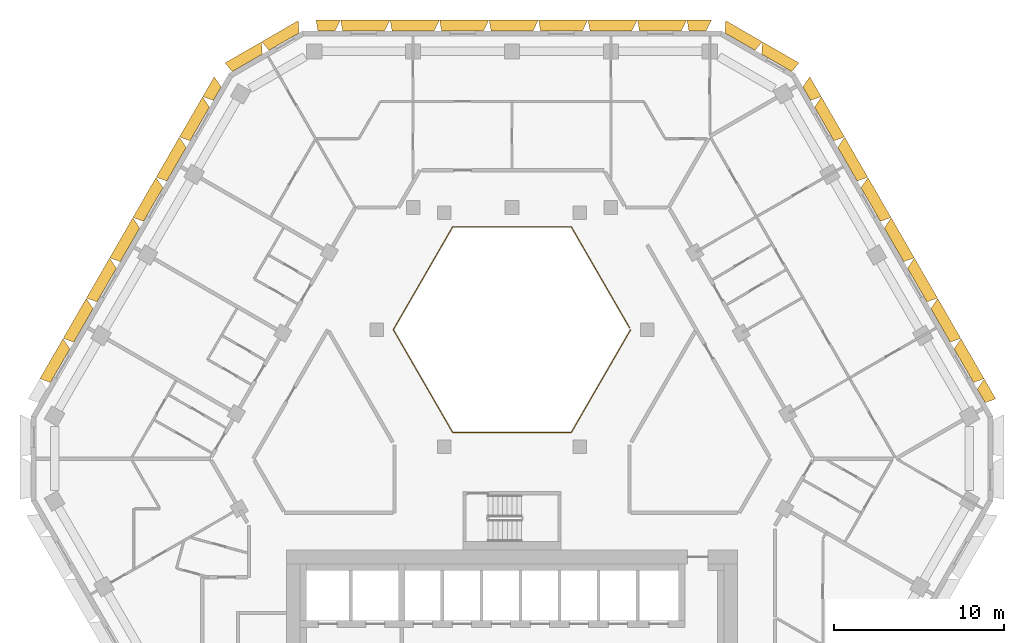
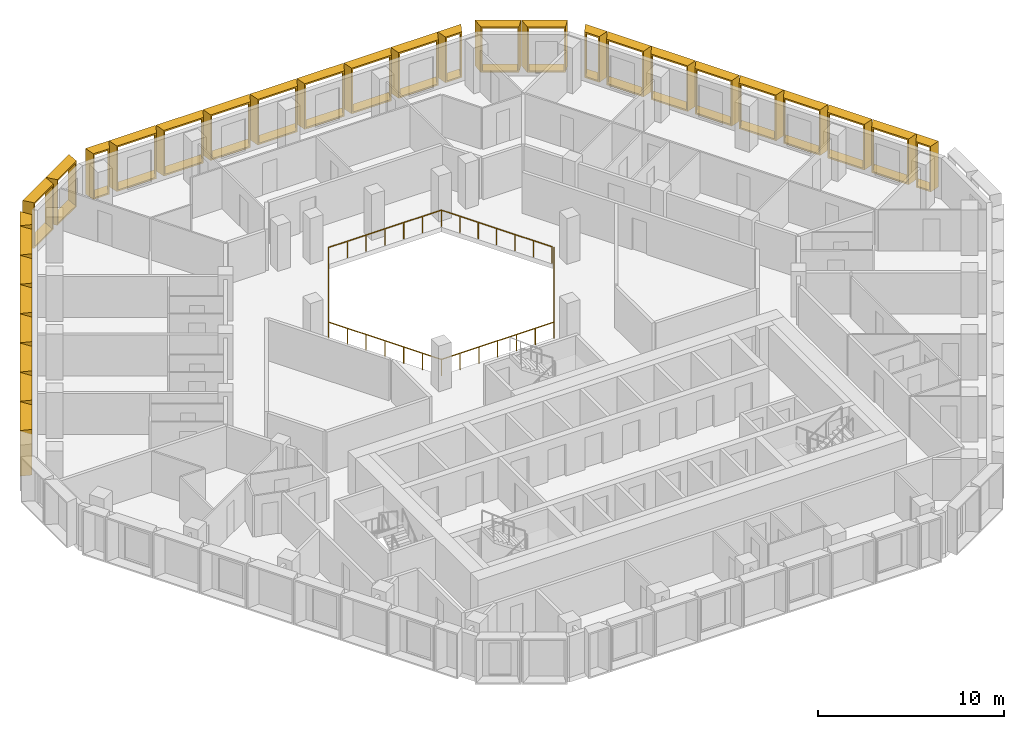
# One storey, part 15 of 15: 30 shading devices, 1 railing.
"""IFC4 building model written with IfcOpenShell, lengths in metres."""

from ifc_helpers import new_model, entity, si_unit, direction, frame, origin, origin_2d, place, context, subcontext, project, spatial, rectangle, extrude, source, transform, mapped, material, type_object, type_shapes, element, save


model = new_model("IFC4")

# Units and contexts
model_context = context("Model", 3, precision=1e-05, world=origin(), true_north=direction((0.0, 1.0)))
body_context = subcontext(model_context, "Body", "Model", "MODEL_VIEW")
ifc_project = project(units=[si_unit("LENGTHUNIT", "METRE"), si_unit("AREAUNIT", "SQUARE_METRE"), si_unit("VOLUMEUNIT", "CUBIC_METRE"), si_unit("PLANEANGLEUNIT", "RADIAN"), si_unit("MASSUNIT", "GRAM", prefix="KILO")], contexts=[model_context])

# Site, building, storey
site_placement = place(None, origin())
site = spatial("IfcSite", under=ifc_project, at=site_placement, CompositionType="ELEMENT")
building_placement = place(site_placement, origin())
building = spatial("IfcBuilding", under=site, at=building_placement, Name="Beryl Residences", CompositionType="ELEMENT")
storey_placement = place(building_placement, frame((0.0, 0.0, 135.60009765625)))
storey = spatial("IfcBuildingStorey", under=building, at=storey_placement, Name="L41", CompositionType="ELEMENT", Elevation=135.60009765625)

# Railing
ifc_material_1 = material(Name="Stainless steel balustrade with glass infill", Category="steel")
railing_type = type_object("IfcRailingType", Name="EG1 edge guard 1100 mm", PredefinedType="GUARDRAIL", material=ifc_material_1)
railing_placement = place(storey_placement, frame((6.9970703125, 8.0, 0.0)))
element("IfcRailing", 1, at=railing_placement, inside=storey, type_object=railing_type, Name="L41 atrium guard", PredefinedType="GUARDRAIL", context=body_context, shape_type="SweptSolid", body=[
    extrude(rectangle(XDim=0.048095703125, YDim=0.048095703125, at=origin_2d()), frame((0.0, 0.0, 1.076171875), z_axis=(-0.499921796684, -0.866070549782, 0.0), x_axis=(0.866070549782, -0.499921796684, 0.0)), (0.0, 0.0, 1.0), 6.9970703125),
    extrude(rectangle(XDim=0.048095703125, YDim=0.048095703125, at=origin_2d()), frame((-3.498046875, -6.06005859375, 1.076171875), z_axis=(-1.0, 0.0, 0.0), x_axis=(0.0, -1.0, 0.0)), (0.0, 0.0, 1.0), 6.998046875),
    extrude(rectangle(XDim=0.048095703125, YDim=0.048095703125, at=origin_2d()), frame((-10.49609375, -6.06005859375, 1.076171875), z_axis=(-0.499921796684, 0.866070549782, 0.0), x_axis=(-0.866070549782, -0.499921796684, 0.0)), (0.0, 0.0, 1.0), 6.9970703125),
    extrude(rectangle(XDim=0.048095703125, YDim=0.048095703125, at=origin_2d()), frame((-13.994140625, 0.0, 1.076171875), z_axis=(0.499921796684, 0.866070549782, 0.0), x_axis=(-0.866070549782, 0.499921796684, 0.0)), (0.0, 0.0, 1.0), 6.9970703125),
    extrude(rectangle(XDim=0.048095703125, YDim=0.048095703125, at=origin_2d()), frame((-10.49609375, 6.06005859375, 1.076171875), z_axis=(1.0, 0.0, 0.0), x_axis=(0.0, 1.0, 0.0)), (0.0, 0.0, 1.0), 6.998046875),
    extrude(rectangle(XDim=0.048095703125, YDim=0.048095703125, at=origin_2d()), frame((-3.498046875, 6.06005859375, 1.076171875), z_axis=(0.499919131929, -0.866072087953, 0.0), x_axis=(0.866072087953, 0.499919131929, 0.0)), (0.0, 0.0, 1.0), 6.877197265625),
    extrude(rectangle(XDim=0.0419921875, YDim=0.0419921875, at=origin_2d()), origin(), (0.0, 0.0, 1.0), 1.052001953125),
    extrude(rectangle(XDim=0.0419921875, YDim=0.0419921875, at=origin_2d()), frame((-0.5830078125, -1.010009765625, 0.0)), (0.0, 0.0, 1.0), 1.052001953125),
    extrude(rectangle(XDim=0.0419921875, YDim=0.0419921875, at=origin_2d()), frame((-1.166015625, -2.02001953125, 0.0)), (0.0, 0.0, 1.0), 1.052001953125),
    extrude(rectangle(XDim=0.0419921875, YDim=0.0419921875, at=origin_2d()), frame((-1.7490234375, -3.030029296875, 0.0)), (0.0, 0.0, 1.0), 1.052001953125),
    extrude(rectangle(XDim=0.0419921875, YDim=0.0419921875, at=origin_2d()), frame((-2.33203125, -4.0400390625, 0.0)), (0.0, 0.0, 1.0), 1.052001953125),
    extrude(rectangle(XDim=0.0419921875, YDim=0.0419921875, at=origin_2d()), frame((-2.9150390625, -5.050048828125, 0.0)), (0.0, 0.0, 1.0), 1.052001953125),
    extrude(rectangle(XDim=0.0419921875, YDim=0.0419921875, at=origin_2d()), frame((-3.498046875, -6.06005859375, 0.0)), (0.0, 0.0, 1.0), 1.052001953125),
    extrude(rectangle(XDim=0.0419921875, YDim=0.0419921875, at=origin_2d()), frame((-4.664306640625, -6.06005859375, 0.0)), (0.0, 0.0, 1.0), 1.052001953125),
    extrude(rectangle(XDim=0.0419921875, YDim=0.0419921875, at=origin_2d()), frame((-5.830810546875, -6.06005859375, 0.0)), (0.0, 0.0, 1.0), 1.052001953125),
    extrude(rectangle(XDim=0.0419921875, YDim=0.0419921875, at=origin_2d()), frame((-6.9970703125, -6.06005859375, 0.0)), (0.0, 0.0, 1.0), 1.052001953125),
    extrude(rectangle(XDim=0.0419921875, YDim=0.0419921875, at=origin_2d()), frame((-8.163330078125, -6.06005859375, 0.0)), (0.0, 0.0, 1.0), 1.052001953125),
    extrude(rectangle(XDim=0.0419921875, YDim=0.0419921875, at=origin_2d()), frame((-9.329833984375, -6.06005859375, 0.0)), (0.0, 0.0, 1.0), 1.052001953125),
    extrude(rectangle(XDim=0.0419921875, YDim=0.0419921875, at=origin_2d()), frame((-10.49609375, -6.06005859375, 0.0)), (0.0, 0.0, 1.0), 1.052001953125),
    extrude(rectangle(XDim=0.0419921875, YDim=0.0419921875, at=origin_2d()), frame((-11.0791015625, -5.050048828125, 0.0)), (0.0, 0.0, 1.0), 1.052001953125),
    extrude(rectangle(XDim=0.0419921875, YDim=0.0419921875, at=origin_2d()), frame((-11.662109375, -4.0400390625, 0.0)), (0.0, 0.0, 1.0), 1.052001953125),
    extrude(rectangle(XDim=0.0419921875, YDim=0.0419921875, at=origin_2d()), frame((-12.2451171875, -3.030029296875, 0.0)), (0.0, 0.0, 1.0), 1.052001953125),
    extrude(rectangle(XDim=0.0419921875, YDim=0.0419921875, at=origin_2d()), frame((-12.828125, -2.02001953125, 0.0)), (0.0, 0.0, 1.0), 1.052001953125),
    extrude(rectangle(XDim=0.0419921875, YDim=0.0419921875, at=origin_2d()), frame((-13.4111328125, -1.010009765625, 0.0)), (0.0, 0.0, 1.0), 1.052001953125),
    extrude(rectangle(XDim=0.0419921875, YDim=0.0419921875, at=origin_2d()), frame((-13.994140625, 0.0, 0.0)), (0.0, 0.0, 1.0), 1.052001953125),
    extrude(rectangle(XDim=0.0419921875, YDim=0.0419921875, at=origin_2d()), frame((-13.4111328125, 1.010009765625, 0.0)), (0.0, 0.0, 1.0), 1.052001953125),
    extrude(rectangle(XDim=0.0419921875, YDim=0.0419921875, at=origin_2d()), frame((-12.828125, 2.02001953125, 0.0)), (0.0, 0.0, 1.0), 1.052001953125),
    extrude(rectangle(XDim=0.0419921875, YDim=0.0419921875, at=origin_2d()), frame((-12.2451171875, 3.030029296875, 0.0)), (0.0, 0.0, 1.0), 1.052001953125),
    extrude(rectangle(XDim=0.0419921875, YDim=0.0419921875, at=origin_2d()), frame((-11.662109375, 4.0400390625, 0.0)), (0.0, 0.0, 1.0), 1.052001953125),
    extrude(rectangle(XDim=0.0419921875, YDim=0.0419921875, at=origin_2d()), frame((-11.0791015625, 5.050048828125, 0.0)), (0.0, 0.0, 1.0), 1.052001953125),
    extrude(rectangle(XDim=0.0419921875, YDim=0.0419921875, at=origin_2d()), frame((-10.49609375, 6.06005859375, 0.0)), (0.0, 0.0, 1.0), 1.052001953125),
    extrude(rectangle(XDim=0.0419921875, YDim=0.0419921875, at=origin_2d()), frame((-9.329833984375, 6.06005859375, 0.0)), (0.0, 0.0, 1.0), 1.052001953125),
    extrude(rectangle(XDim=0.0419921875, YDim=0.0419921875, at=origin_2d()), frame((-8.163330078125, 6.06005859375, 0.0)), (0.0, 0.0, 1.0), 1.052001953125),
    extrude(rectangle(XDim=0.0419921875, YDim=0.0419921875, at=origin_2d()), frame((-6.9970703125, 6.06005859375, 0.0)), (0.0, 0.0, 1.0), 1.052001953125),
    extrude(rectangle(XDim=0.0419921875, YDim=0.0419921875, at=origin_2d()), frame((-5.830810546875, 6.06005859375, 0.0)), (0.0, 0.0, 1.0), 1.052001953125),
    extrude(rectangle(XDim=0.0419921875, YDim=0.0419921875, at=origin_2d()), frame((-4.664306640625, 6.06005859375, 0.0)), (0.0, 0.0, 1.0), 1.052001953125),
    extrude(rectangle(XDim=0.0419921875, YDim=0.0419921875, at=origin_2d()), frame((-3.498046875, 6.06005859375, 0.0)), (0.0, 0.0, 1.0), 1.052001953125),
    extrude(rectangle(XDim=0.0419921875, YDim=0.0419921875, at=origin_2d()), frame((-2.925048828125, 5.0673828125, 0.0)), (0.0, 0.0, 1.0), 1.052001953125),
    extrude(rectangle(XDim=0.0419921875, YDim=0.0419921875, at=origin_2d()), frame((-2.35205078125, 4.07470703125, 0.0)), (0.0, 0.0, 1.0), 1.052001953125),
    extrude(rectangle(XDim=0.0419921875, YDim=0.0419921875, at=origin_2d()), frame((-1.779052734375, 3.08203125, 0.0)), (0.0, 0.0, 1.0), 1.052001953125),
    extrude(rectangle(XDim=0.0419921875, YDim=0.0419921875, at=origin_2d()), frame((-1.2060546875, 2.08935546875, 0.0)), (0.0, 0.0, 1.0), 1.052001953125),
    extrude(rectangle(XDim=0.0419921875, YDim=0.0419921875, at=origin_2d()), frame((-0.633056640625, 1.0966796875, 0.0)), (0.0, 0.0, 1.0), 1.052001953125),
    extrude(rectangle(XDim=0.0419921875, YDim=0.0419921875, at=origin_2d()), frame((-0.06005859375, 0.10400390625, 0.0)), (0.0, 0.0, 1.0), 1.052001953125),
])

# Shading devices
ifc_material_2 = material(Name="Aluminium pale anodised", Category="aluminium")
shading_device_type_1 = type_object("IfcShadingDeviceType", Name="FR137-65B OUTER SKIN frame 650 mm deep, splay 26/10 deg, 1370 x 3000 mm cell", PredefinedType="USERDEFINED", material=ifc_material_2)
cartesian_point_1 = entity("IfcCartesianPoint", [-0.458984375, 0.0])
cartesian_point_2 = entity("IfcCartesianPoint", [-0.369873046875, 0.10009765625])
cartesian_point_3 = entity("IfcCartesianPoint", [-0.776123046875, 0.0])
cartesian_point_4 = entity("IfcCartesianPoint", [-0.68701171875, 0.10009765625])
shared_shape_1 = source(origin(), body_context, "Body", "SweptSolid", [
    entity("IfcExtrudedAreaSolidTapered", entity("IfcArbitraryProfileDefWithVoids", "AREA", None, entity("IfcPolyline", [cartesian_point_1, entity("IfcCartesianPoint", [0.458984375, 0.0]), entity("IfcCartesianPoint", [0.458984375, 3.0]), entity("IfcCartesianPoint", [-0.458984375, 3.0]), cartesian_point_1]), [entity("IfcPolyline", [cartesian_point_2, entity("IfcCartesianPoint", [0.377685546875, 0.10009765625]), entity("IfcCartesianPoint", [0.377685546875, 2.89990234375]), entity("IfcCartesianPoint", [-0.369873046875, 2.89990234375]), cartesian_point_2])]), entity("IfcAxis2Placement3D", entity("IfcCartesianPoint", [0.0, 0.0, 0.0]), entity("IfcDirection", [0.0, 1.0, 0.0]), entity("IfcDirection", [-1.0, 0.0, 0.0])), entity("IfcDirection", [0.0, 0.0, 1.0]), 0.64990234375, entity("IfcArbitraryProfileDefWithVoids", "AREA", None, entity("IfcPolyline", [cartesian_point_3, entity("IfcCartesianPoint", [0.57373046875, 0.0]), entity("IfcCartesianPoint", [0.57373046875, 3.0]), entity("IfcCartesianPoint", [-0.776123046875, 3.0]), cartesian_point_3]), [entity("IfcPolyline", [cartesian_point_4, entity("IfcCartesianPoint", [0.492431640625, 0.10009765625]), entity("IfcCartesianPoint", [0.492431640625, 2.89990234375]), entity("IfcCartesianPoint", [-0.68701171875, 2.89990234375]), cartesian_point_4])])),
])
type_shapes(shading_device_type_1, [shared_shape_1])
shading_device_placement = place(storey_placement, frame((-17.375, 21.906982421875, 0.0), z_axis=(0.0, 0.0, 1.0), x_axis=(0.5, 0.866025403784, 0.0)))
element("IfcShadingDevice", 2, at=shading_device_placement, inside=storey, type_object=shading_device_type_1, Name="FR137-65B frame L41 NW 1", ObjectType="OUTER SKIN", PredefinedType="USERDEFINED", context=body_context, shape_type="MappedRepresentation", body=[
    mapped(shared_shape_1, transform((0.0, 0.0, 0.0))),
])
ifc_material_3 = material(Name="Aluminium pale anodised", Category="aluminium")
shading_device_type_2 = type_object("IfcShadingDeviceType", Name="FR137-65C OUTER SKIN frame 650 mm deep, splay 10/26 deg, 1370 x 3000 mm cell", PredefinedType="USERDEFINED", material=ifc_material_3)
cartesian_point_5 = entity("IfcCartesianPoint", [-0.458984375, 0.0])
cartesian_point_6 = entity("IfcCartesianPoint", [-0.377685546875, 0.10009765625])
cartesian_point_7 = entity("IfcCartesianPoint", [-0.57373046875, 0.0])
cartesian_point_8 = entity("IfcCartesianPoint", [-0.492431640625, 0.10009765625])
shared_shape_2 = source(origin(), body_context, "Body", "SweptSolid", [
    entity("IfcExtrudedAreaSolidTapered", entity("IfcArbitraryProfileDefWithVoids", "AREA", None, entity("IfcPolyline", [cartesian_point_5, entity("IfcCartesianPoint", [0.458984375, 0.0]), entity("IfcCartesianPoint", [0.458984375, 3.0]), entity("IfcCartesianPoint", [-0.458984375, 3.0]), cartesian_point_5]), [entity("IfcPolyline", [cartesian_point_6, entity("IfcCartesianPoint", [0.369873046875, 0.10009765625]), entity("IfcCartesianPoint", [0.369873046875, 2.89990234375]), entity("IfcCartesianPoint", [-0.377685546875, 2.89990234375]), cartesian_point_6])]), entity("IfcAxis2Placement3D", entity("IfcCartesianPoint", [0.0, 0.0, 0.0]), entity("IfcDirection", [0.0, 1.0, 0.0]), entity("IfcDirection", [-1.0, 0.0, 0.0])), entity("IfcDirection", [0.0, 0.0, 1.0]), 0.64990234375, entity("IfcArbitraryProfileDefWithVoids", "AREA", None, entity("IfcPolyline", [cartesian_point_7, entity("IfcCartesianPoint", [0.776123046875, 0.0]), entity("IfcCartesianPoint", [0.776123046875, 3.0]), entity("IfcCartesianPoint", [-0.57373046875, 3.0]), cartesian_point_7]), [entity("IfcPolyline", [cartesian_point_8, entity("IfcCartesianPoint", [0.68701171875, 0.10009765625]), entity("IfcCartesianPoint", [0.68701171875, 2.89990234375]), entity("IfcCartesianPoint", [-0.492431640625, 2.89990234375]), cartesian_point_8])])),
])
type_shapes(shading_device_type_2, [shared_shape_2])
for number, where, z_axis, x_axis, name in (
    (3, (27.658935546875, 4.093017578125, 0.0), (0.0, 0.0, 1.0), (0.5, -0.866025403784, 0.0), "FR137-65C frame L41 NE 1"),
    (4, (17.375, 21.906982421875, 0.0), (0.0, 0.0, 1.0), (0.5, -0.866025403784, 0.0), "FR137-65C frame L41 NE 9"),
):
    element("IfcShadingDevice", number, at=place(storey_placement, frame(where, z_axis=z_axis, x_axis=x_axis)), inside=storey, type_object=shading_device_type_2, Name=name, ObjectType="OUTER SKIN", PredefinedType="USERDEFINED", context=body_context, shape_type="MappedRepresentation", body=[
        mapped(shared_shape_2, transform((0.0, 0.0, 0.0))),
    ])
ifc_material_4 = material(Name="Aluminium pale anodised", Category="aluminium")
shading_device_type_3 = type_object("IfcShadingDeviceType", Name="FR146-65B OUTER SKIN frame 650 mm deep, splay 26/10 deg, 1460 x 3000 mm cell", PredefinedType="USERDEFINED", material=ifc_material_4)
cartesian_point_9 = entity("IfcCartesianPoint", [-0.50390625, 0.0])
cartesian_point_10 = entity("IfcCartesianPoint", [-0.4150390625, 0.10009765625])
cartesian_point_11 = entity("IfcCartesianPoint", [-0.821044921875, 0.0])
cartesian_point_12 = entity("IfcCartesianPoint", [-0.73193359375, 0.10009765625])
shared_shape_3 = source(origin(), body_context, "Body", "SweptSolid", [
    entity("IfcExtrudedAreaSolidTapered", entity("IfcArbitraryProfileDefWithVoids", "AREA", None, entity("IfcPolyline", [cartesian_point_9, entity("IfcCartesianPoint", [0.50390625, 0.0]), entity("IfcCartesianPoint", [0.50390625, 3.0]), entity("IfcCartesianPoint", [-0.50390625, 3.0]), cartesian_point_9]), [entity("IfcPolyline", [cartesian_point_10, entity("IfcCartesianPoint", [0.4228515625, 0.10009765625]), entity("IfcCartesianPoint", [0.4228515625, 2.89990234375]), entity("IfcCartesianPoint", [-0.4150390625, 2.89990234375]), cartesian_point_10])]), entity("IfcAxis2Placement3D", entity("IfcCartesianPoint", [0.0, 0.0, 0.0]), entity("IfcDirection", [0.0, 1.0, 0.0]), entity("IfcDirection", [-1.0, 0.0, 0.0])), entity("IfcDirection", [0.0, 0.0, 1.0]), 0.64990234375, entity("IfcArbitraryProfileDefWithVoids", "AREA", None, entity("IfcPolyline", [cartesian_point_11, entity("IfcCartesianPoint", [0.61865234375, 0.0]), entity("IfcCartesianPoint", [0.61865234375, 3.0]), entity("IfcCartesianPoint", [-0.821044921875, 3.0]), cartesian_point_11]), [entity("IfcPolyline", [cartesian_point_12, entity("IfcCartesianPoint", [0.537353515625, 0.10009765625]), entity("IfcCartesianPoint", [0.537353515625, 2.89990234375]), entity("IfcCartesianPoint", [-0.73193359375, 2.89990234375]), cartesian_point_12])])),
])
type_shapes(shading_device_type_3, [shared_shape_3])
for number, where, z_axis, x_axis, name in (
    (5, (10.93310546875, 25.60009765625, 0.0), (0.0, 0.0, 1.0), (1.0, 0.0, 0.0), "FR146-65B frame L41 N 1"),
    (6, (-10.93310546875, 25.60009765625, 0.0), (0.0, 0.0, 1.0), (1.0, 0.0, 0.0), "FR146-65B frame L41 N 9"),
):
    element("IfcShadingDevice", number, at=place(storey_placement, frame(where, z_axis=z_axis, x_axis=x_axis)), inside=storey, type_object=shading_device_type_3, Name=name, ObjectType="OUTER SKIN", PredefinedType="USERDEFINED", context=body_context, shape_type="MappedRepresentation", body=[
        mapped(shared_shape_3, transform((0.0, 0.0, 0.0))),
    ])
ifc_material_5 = material(Name="Aluminium pale anodised", Category="aluminium")
shading_device_type_4 = type_object("IfcShadingDeviceType", Name="FR250-65B OUTER SKIN frame 650 mm deep, splay 26/10 deg, 2500 x 3000 mm cell", PredefinedType="USERDEFINED", material=ifc_material_5)
cartesian_point_13 = entity("IfcCartesianPoint", [-1.02392578125, 0.0])
cartesian_point_14 = entity("IfcCartesianPoint", [-0.93505859375, 0.10009765625])
cartesian_point_15 = entity("IfcCartesianPoint", [-1.341064453125, 0.0])
cartesian_point_16 = entity("IfcCartesianPoint", [-1.251953125, 0.10009765625])
shared_shape_4 = source(origin(), body_context, "Body", "SweptSolid", [
    entity("IfcExtrudedAreaSolidTapered", entity("IfcArbitraryProfileDefWithVoids", "AREA", None, entity("IfcPolyline", [cartesian_point_13, entity("IfcCartesianPoint", [1.02392578125, 0.0]), entity("IfcCartesianPoint", [1.02392578125, 3.0]), entity("IfcCartesianPoint", [-1.02392578125, 3.0]), cartesian_point_13]), [entity("IfcPolyline", [cartesian_point_14, entity("IfcCartesianPoint", [0.94287109375, 0.10009765625]), entity("IfcCartesianPoint", [0.94287109375, 2.89990234375]), entity("IfcCartesianPoint", [-0.93505859375, 2.89990234375]), cartesian_point_14])]), entity("IfcAxis2Placement3D", entity("IfcCartesianPoint", [0.0, 0.0, 0.0]), entity("IfcDirection", [0.0, 1.0, 0.0]), entity("IfcDirection", [-1.0, 0.0, 0.0])), entity("IfcDirection", [0.0, 0.0, 1.0]), 0.64990234375, entity("IfcArbitraryProfileDefWithVoids", "AREA", None, entity("IfcPolyline", [cartesian_point_15, entity("IfcCartesianPoint", [1.138671875, 0.0]), entity("IfcCartesianPoint", [1.138671875, 3.0]), entity("IfcCartesianPoint", [-1.341064453125, 3.0]), cartesian_point_15]), [entity("IfcPolyline", [cartesian_point_16, entity("IfcCartesianPoint", [1.057373046875, 0.10009765625]), entity("IfcCartesianPoint", [1.057373046875, 2.89990234375]), entity("IfcCartesianPoint", [-1.251953125, 2.89990234375]), cartesian_point_16])])),
])
type_shapes(shading_device_type_4, [shared_shape_4])
for number, where, z_axis, x_axis, name in (
    (7, (-13.43798828125, 24.97509765625, 0.0), (0.0, 0.0, 1.0), (0.866025403784, 0.5, 0.0), "FR250-65B frame L41 N-NW 1"),
    (8, (-15.60205078125, 23.72509765625, 0.0), (0.0, 0.0, 1.0), (0.866025403784, 0.5, 0.0), "FR250-65B frame L41 N-NW 2"),
):
    element("IfcShadingDevice", number, at=place(storey_placement, frame(where, z_axis=z_axis, x_axis=x_axis)), inside=storey, type_object=shading_device_type_4, Name=name, ObjectType="OUTER SKIN", PredefinedType="USERDEFINED", context=body_context, shape_type="MappedRepresentation", body=[
        mapped(shared_shape_4, transform((0.0, 0.0, 0.0))),
    ])
ifc_material_6 = material(Name="Aluminium pale anodised", Category="aluminium")
shading_device_type_5 = type_object("IfcShadingDeviceType", Name="FR250-65C OUTER SKIN frame 650 mm deep, splay 10/26 deg, 2500 x 3000 mm cell", PredefinedType="USERDEFINED", material=ifc_material_6)
cartesian_point_17 = entity("IfcCartesianPoint", [-1.02392578125, 0.0])
cartesian_point_18 = entity("IfcCartesianPoint", [-0.94287109375, 0.10009765625])
cartesian_point_19 = entity("IfcCartesianPoint", [-1.138671875, 0.0])
cartesian_point_20 = entity("IfcCartesianPoint", [-1.057373046875, 0.10009765625])
shared_shape_5 = source(origin(), body_context, "Body", "SweptSolid", [
    entity("IfcExtrudedAreaSolidTapered", entity("IfcArbitraryProfileDefWithVoids", "AREA", None, entity("IfcPolyline", [cartesian_point_17, entity("IfcCartesianPoint", [1.02392578125, 0.0]), entity("IfcCartesianPoint", [1.02392578125, 3.0]), entity("IfcCartesianPoint", [-1.02392578125, 3.0]), cartesian_point_17]), [entity("IfcPolyline", [cartesian_point_18, entity("IfcCartesianPoint", [0.93505859375, 0.10009765625]), entity("IfcCartesianPoint", [0.93505859375, 2.89990234375]), entity("IfcCartesianPoint", [-0.94287109375, 2.89990234375]), cartesian_point_18])]), entity("IfcAxis2Placement3D", entity("IfcCartesianPoint", [0.0, 0.0, 0.0]), entity("IfcDirection", [0.0, 1.0, 0.0]), entity("IfcDirection", [-1.0, 0.0, 0.0])), entity("IfcDirection", [0.0, 0.0, 1.0]), 0.64990234375, entity("IfcArbitraryProfileDefWithVoids", "AREA", None, entity("IfcPolyline", [cartesian_point_19, entity("IfcCartesianPoint", [1.341064453125, 0.0]), entity("IfcCartesianPoint", [1.341064453125, 3.0]), entity("IfcCartesianPoint", [-1.138671875, 3.0]), cartesian_point_19]), [entity("IfcPolyline", [cartesian_point_20, entity("IfcCartesianPoint", [1.251953125, 0.10009765625]), entity("IfcCartesianPoint", [1.251953125, 2.89990234375]), entity("IfcCartesianPoint", [-1.057373046875, 2.89990234375]), cartesian_point_20])])),
])
type_shapes(shading_device_type_5, [shared_shape_5])
for number, where, z_axis, x_axis, name in (
    (9, (15.60205078125, 23.72509765625, 0.0), (0.0, 0.0, 1.0), (0.866025403784, -0.5, 0.0), "FR250-65C frame L41 NE-N 1"),
    (10, (13.43798828125, 24.97509765625, 0.0), (0.0, 0.0, 1.0), (0.866025403784, -0.5, 0.0), "FR250-65C frame L41 NE-N 2"),
):
    element("IfcShadingDevice", number, at=place(storey_placement, frame(where, z_axis=z_axis, x_axis=x_axis)), inside=storey, type_object=shading_device_type_5, Name=name, ObjectType="OUTER SKIN", PredefinedType="USERDEFINED", context=body_context, shape_type="MappedRepresentation", body=[
        mapped(shared_shape_5, transform((0.0, 0.0, 0.0))),
    ])
ifc_material_7 = material(Name="Aluminium pale anodised", Category="aluminium")
shading_device_type_6 = type_object("IfcShadingDeviceType", Name="FR274-65B OUTER SKIN frame 650 mm deep, splay 26/10 deg, 2740 x 3000 mm cell", PredefinedType="USERDEFINED", material=ifc_material_7)
cartesian_point_21 = entity("IfcCartesianPoint", [-1.14404296875, 0.0])
cartesian_point_22 = entity("IfcCartesianPoint", [-1.054931640625, 0.10009765625])
cartesian_point_23 = entity("IfcCartesianPoint", [-1.4609375, 0.0])
cartesian_point_24 = entity("IfcCartesianPoint", [-1.3720703125, 0.10009765625])
shared_shape_6 = source(origin(), body_context, "Body", "SweptSolid", [
    entity("IfcExtrudedAreaSolidTapered", entity("IfcArbitraryProfileDefWithVoids", "AREA", None, entity("IfcPolyline", [cartesian_point_21, entity("IfcCartesianPoint", [1.14404296875, 0.0]), entity("IfcCartesianPoint", [1.14404296875, 3.0]), entity("IfcCartesianPoint", [-1.14404296875, 3.0]), cartesian_point_21]), [entity("IfcPolyline", [cartesian_point_22, entity("IfcCartesianPoint", [1.062744140625, 0.10009765625]), entity("IfcCartesianPoint", [1.062744140625, 2.89990234375]), entity("IfcCartesianPoint", [-1.054931640625, 2.89990234375]), cartesian_point_22])]), entity("IfcAxis2Placement3D", entity("IfcCartesianPoint", [0.0, 0.0, 0.0]), entity("IfcDirection", [0.0, 1.0, 0.0]), entity("IfcDirection", [-1.0, 0.0, 0.0])), entity("IfcDirection", [0.0, 0.0, 1.0]), 0.64990234375, entity("IfcArbitraryProfileDefWithVoids", "AREA", None, entity("IfcPolyline", [cartesian_point_23, entity("IfcCartesianPoint", [1.258544921875, 0.0]), entity("IfcCartesianPoint", [1.258544921875, 3.0]), entity("IfcCartesianPoint", [-1.4609375, 3.0]), cartesian_point_23]), [entity("IfcPolyline", [cartesian_point_24, entity("IfcCartesianPoint", [1.177490234375, 0.10009765625]), entity("IfcCartesianPoint", [1.177490234375, 2.89990234375]), entity("IfcCartesianPoint", [-1.3720703125, 2.89990234375]), cartesian_point_24])])),
])
type_shapes(shading_device_type_6, [shared_shape_6])
for number, where, z_axis, x_axis, name in (
    (11, (-18.403076171875, 20.125, 0.0), (0.0, 0.0, 1.0), (0.5, 0.866025403784, 0.0), "FR274-65B frame L41 NW 2"),
    (12, (-19.77490234375, 17.75, 0.0), (0.0, 0.0, 1.0), (0.5, 0.866025403784, 0.0), "FR274-65B frame L41 NW 3"),
    (13, (-21.14599609375, 15.375, 0.0), (0.0, 0.0, 1.0), (0.5, 0.866025403784, 0.0), "FR274-65B frame L41 NW 4"),
    (14, (-22.51708984375, 13.0, 0.0), (0.0, 0.0, 1.0), (0.5, 0.866025403784, 0.0), "FR274-65B frame L41 NW 5"),
    (15, (-23.887939453125, 10.625, 0.0), (0.0, 0.0, 1.0), (0.5, 0.866025403784, 0.0), "FR274-65B frame L41 NW 6"),
    (16, (-25.259033203125, 8.25, 0.0), (0.0, 0.0, 1.0), (0.5, 0.866025403784, 0.0), "FR274-65B frame L41 NW 7"),
    (17, (-26.631103515625, 5.875, 0.0), (0.0, 0.0, 1.0), (0.5, 0.866025403784, 0.0), "FR274-65B frame L41 NW 8"),
):
    element("IfcShadingDevice", number, at=place(storey_placement, frame(where, z_axis=z_axis, x_axis=x_axis)), inside=storey, type_object=shading_device_type_6, Name=name, ObjectType="OUTER SKIN", PredefinedType="USERDEFINED", context=body_context, shape_type="MappedRepresentation", body=[
        mapped(shared_shape_6, transform((0.0, 0.0, 0.0))),
    ])
ifc_material_8 = material(Name="Aluminium pale anodised", Category="aluminium")
shading_device_type_7 = type_object("IfcShadingDeviceType", Name="FR274-65C OUTER SKIN frame 650 mm deep, splay 10/26 deg, 2740 x 3000 mm cell", PredefinedType="USERDEFINED", material=ifc_material_8)
cartesian_point_25 = entity("IfcCartesianPoint", [-1.14404296875, 0.0])
cartesian_point_26 = entity("IfcCartesianPoint", [-1.062744140625, 0.10009765625])
cartesian_point_27 = entity("IfcCartesianPoint", [-1.258544921875, 0.0])
cartesian_point_28 = entity("IfcCartesianPoint", [-1.177490234375, 0.10009765625])
shared_shape_7 = source(origin(), body_context, "Body", "SweptSolid", [
    entity("IfcExtrudedAreaSolidTapered", entity("IfcArbitraryProfileDefWithVoids", "AREA", None, entity("IfcPolyline", [cartesian_point_25, entity("IfcCartesianPoint", [1.14404296875, 0.0]), entity("IfcCartesianPoint", [1.14404296875, 3.0]), entity("IfcCartesianPoint", [-1.14404296875, 3.0]), cartesian_point_25]), [entity("IfcPolyline", [cartesian_point_26, entity("IfcCartesianPoint", [1.054931640625, 0.10009765625]), entity("IfcCartesianPoint", [1.054931640625, 2.89990234375]), entity("IfcCartesianPoint", [-1.062744140625, 2.89990234375]), cartesian_point_26])]), entity("IfcAxis2Placement3D", entity("IfcCartesianPoint", [0.0, 0.0, 0.0]), entity("IfcDirection", [0.0, 1.0, 0.0]), entity("IfcDirection", [-1.0, 0.0, 0.0])), entity("IfcDirection", [0.0, 0.0, 1.0]), 0.64990234375, entity("IfcArbitraryProfileDefWithVoids", "AREA", None, entity("IfcPolyline", [cartesian_point_27, entity("IfcCartesianPoint", [1.4609375, 0.0]), entity("IfcCartesianPoint", [1.4609375, 3.0]), entity("IfcCartesianPoint", [-1.258544921875, 3.0]), cartesian_point_27]), [entity("IfcPolyline", [cartesian_point_28, entity("IfcCartesianPoint", [1.3720703125, 0.10009765625]), entity("IfcCartesianPoint", [1.3720703125, 2.89990234375]), entity("IfcCartesianPoint", [-1.177490234375, 2.89990234375]), cartesian_point_28])])),
])
type_shapes(shading_device_type_7, [shared_shape_7])
for number, where, z_axis, x_axis, name in (
    (18, (26.631103515625, 5.875, 0.0), (0.0, 0.0, 1.0), (0.5, -0.866025403784, 0.0), "FR274-65C frame L41 NE 2"),
    (19, (25.259033203125, 8.25, 0.0), (0.0, 0.0, 1.0), (0.5, -0.866025403784, 0.0), "FR274-65C frame L41 NE 3"),
    (20, (23.887939453125, 10.625, 0.0), (0.0, 0.0, 1.0), (0.5, -0.866025403784, 0.0), "FR274-65C frame L41 NE 4"),
    (21, (22.51708984375, 13.0, 0.0), (0.0, 0.0, 1.0), (0.5, -0.866025403784, 0.0), "FR274-65C frame L41 NE 5"),
    (22, (21.14599609375, 15.375, 0.0), (0.0, 0.0, 1.0), (0.5, -0.866025403784, 0.0), "FR274-65C frame L41 NE 6"),
    (23, (19.77490234375, 17.75, 0.0), (0.0, 0.0, 1.0), (0.5, -0.866025403784, 0.0), "FR274-65C frame L41 NE 7"),
    (24, (18.403076171875, 20.125, 0.0), (0.0, 0.0, 1.0), (0.5, -0.866025403784, 0.0), "FR274-65C frame L41 NE 8"),
):
    element("IfcShadingDevice", number, at=place(storey_placement, frame(where, z_axis=z_axis, x_axis=x_axis)), inside=storey, type_object=shading_device_type_7, Name=name, ObjectType="OUTER SKIN", PredefinedType="USERDEFINED", context=body_context, shape_type="MappedRepresentation", body=[
        mapped(shared_shape_7, transform((0.0, 0.0, 0.0))),
    ])
ifc_material_9 = material(Name="Aluminium pale anodised", Category="aluminium")
shading_device_type_8 = type_object("IfcShadingDeviceType", Name="FR292-65B OUTER SKIN frame 650 mm deep, splay 26/10 deg, 2920 x 3000 mm cell", PredefinedType="USERDEFINED", material=ifc_material_9)
cartesian_point_29 = entity("IfcCartesianPoint", [-1.23388671875, 0.0])
cartesian_point_30 = entity("IfcCartesianPoint", [-1.14501953125, 0.10009765625])
cartesian_point_31 = entity("IfcCartesianPoint", [-1.551025390625, 0.0])
cartesian_point_32 = entity("IfcCartesianPoint", [-1.4619140625, 0.10009765625])
shared_shape_8 = source(origin(), body_context, "Body", "SweptSolid", [
    entity("IfcExtrudedAreaSolidTapered", entity("IfcArbitraryProfileDefWithVoids", "AREA", None, entity("IfcPolyline", [cartesian_point_29, entity("IfcCartesianPoint", [1.23388671875, 0.0]), entity("IfcCartesianPoint", [1.23388671875, 3.0]), entity("IfcCartesianPoint", [-1.23388671875, 3.0]), cartesian_point_29]), [entity("IfcPolyline", [cartesian_point_30, entity("IfcCartesianPoint", [1.15283203125, 0.10009765625]), entity("IfcCartesianPoint", [1.15283203125, 2.89990234375]), entity("IfcCartesianPoint", [-1.14501953125, 2.89990234375]), cartesian_point_30])]), entity("IfcAxis2Placement3D", entity("IfcCartesianPoint", [0.0, 0.0, 0.0]), entity("IfcDirection", [0.0, 1.0, 0.0]), entity("IfcDirection", [-1.0, 0.0, 0.0])), entity("IfcDirection", [0.0, 0.0, 1.0]), 0.64990234375, entity("IfcArbitraryProfileDefWithVoids", "AREA", None, entity("IfcPolyline", [cartesian_point_31, entity("IfcCartesianPoint", [1.3486328125, 0.0]), entity("IfcCartesianPoint", [1.3486328125, 3.0]), entity("IfcCartesianPoint", [-1.551025390625, 3.0]), cartesian_point_31]), [entity("IfcPolyline", [cartesian_point_32, entity("IfcCartesianPoint", [1.267333984375, 0.10009765625]), entity("IfcCartesianPoint", [1.267333984375, 2.89990234375]), entity("IfcCartesianPoint", [-1.4619140625, 2.89990234375]), cartesian_point_32])])),
])
type_shapes(shading_device_type_8, [shared_shape_8])
for number, where, z_axis, x_axis, name in (
    (25, (8.7470703125, 25.60009765625, 0.0), (0.0, 0.0, 1.0), (1.0, 0.0, 0.0), "FR292-65B frame L41 N 2"),
    (26, (5.8310546875, 25.60009765625, 0.0), (0.0, 0.0, 1.0), (1.0, 0.0, 0.0), "FR292-65B frame L41 N 3"),
    (27, (2.916015625, 25.60009765625, 0.0), (0.0, 0.0, 1.0), (1.0, 0.0, 0.0), "FR292-65B frame L41 N 4"),
    (28, (0.0, 25.60009765625, 0.0), (0.0, 0.0, 1.0), (1.0, 0.0, 0.0), "FR292-65B frame L41 N 5"),
    (29, (-2.916015625, 25.60009765625, 0.0), (0.0, 0.0, 1.0), (1.0, 0.0, 0.0), "FR292-65B frame L41 N 6"),
    (30, (-5.8310546875, 25.60009765625, 0.0), (0.0, 0.0, 1.0), (1.0, 0.0, 0.0), "FR292-65B frame L41 N 7"),
    (31, (-8.7470703125, 25.60009765625, 0.0), (0.0, 0.0, 1.0), (1.0, 0.0, 0.0), "FR292-65B frame L41 N 8"),
):
    element("IfcShadingDevice", number, at=place(storey_placement, frame(where, z_axis=z_axis, x_axis=x_axis)), inside=storey, type_object=shading_device_type_8, Name=name, ObjectType="OUTER SKIN", PredefinedType="USERDEFINED", context=body_context, shape_type="MappedRepresentation", body=[
        mapped(shared_shape_8, transform((0.0, 0.0, 0.0))),
    ])

save(model, "model.ifc")
